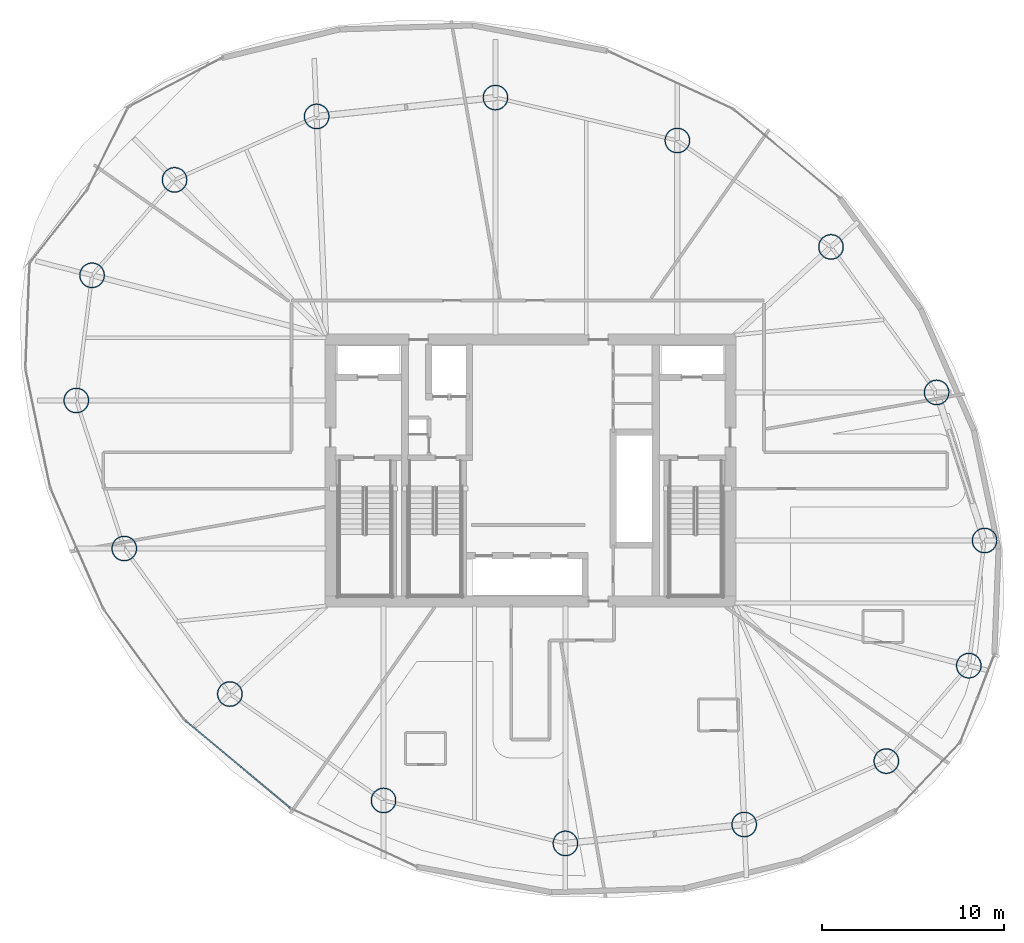
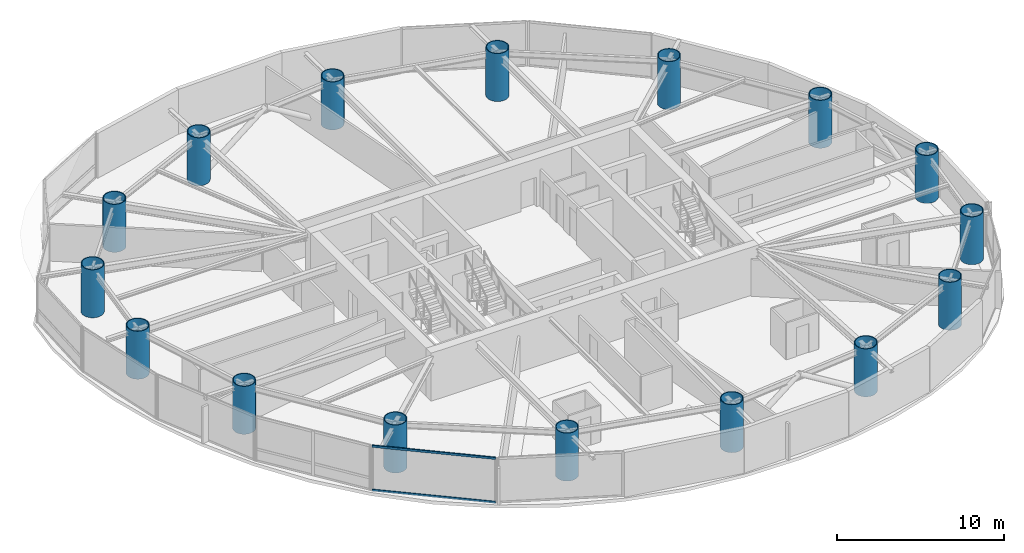
# One storey, part 1 of 23: 16 columns, 2 members, 1 element without a shape of its own.
"""IFC4 building model written with IfcOpenShell, lengths in metres."""

from ifc_helpers import new_model, si_unit, direction, frame, origin, origin_2d, place, context, subcontext, project, spatial, hollow_rectangle, hollow_circle, extrude, material, layer, layer_set, material_profile, profile_set, type_object, element, aggregate, save


model = new_model("IFC4")

# Units and contexts
model_context = context("Model", 3, precision=1e-05, world=origin(), true_north=direction((0.0, 1.0)))
body_context = subcontext(model_context, "Body", "Model", "MODEL_VIEW")
ifc_project = project(units=[si_unit("LENGTHUNIT", "METRE"), si_unit("AREAUNIT", "SQUARE_METRE"), si_unit("VOLUMEUNIT", "CUBIC_METRE"), si_unit("PLANEANGLEUNIT", "RADIAN"), si_unit("MASSUNIT", "GRAM", prefix="KILO")], contexts=[model_context])

# Site, building, storey
site_placement = place(None, origin())
site = spatial("IfcSite", under=ifc_project, at=site_placement, CompositionType="ELEMENT")
building_placement = place(site_placement, origin())
building = spatial("IfcBuilding", under=site, at=building_placement, Name="Bramvorn Convention Spire", CompositionType="ELEMENT")
storey_placement = place(building_placement, frame((0.0, 0.0, 158.800048828125)))
storey = spatial("IfcBuildingStorey", under=building, at=storey_placement, Name="L40", CompositionType="ELEMENT", Elevation=158.800048828125)

# Columns
ifc_material_1 = material(Name="Steel CSA G40.21 Grade 350 (350W)", Category="steel")
ifc_material_profile_1 = material_profile(ifc_material_1, hollow_circle(Radius=0.699951171875, WallThickness=0.054931640625, at=origin_2d()))
ifc_profile_set_1 = profile_set([ifc_material_profile_1], Name="Steel CSA G40.21 Grade 350 (350W) - CFT1400X55")
column_type = type_object("IfcColumnType", Name="COL-CFT1400X55", PredefinedType="COLUMN", material=ifc_profile_set_1)
for number, where, z_axis, x_axis, name in (
    (1, (62.11767578125, 15.26220703125, 0.0), (0.0, 0.0, 1.0), (1.0, 0.0, 0.0), "L40 composite CFT mega-column MC01"),
    (2, (62.983642578125, 22.148193359375, 0.0), (0.0, 0.0, 1.0), (1.0, 0.0, 0.0), "L40 composite CFT mega-column MC02"),
    (3, (60.345703125, 30.293212890625, 0.0), (0.0, 0.0, 1.0), (1.0, 0.0, 0.0), "L40 composite CFT mega-column MC03"),
    (4, (54.534912109375, 38.299072265625, 0.0), (0.0, 0.0, 1.0), (1.0, 0.0, 0.0), "L40 composite CFT mega-column MC04"),
    (5, (46.082763671875, 44.154052734375, 0.0), (0.0, 0.0, 1.0), (1.0, 0.0, 0.0), "L40 composite CFT mega-column MC05"),
    (6, (36.075927734375, 46.517333984375, 0.0), (0.0, 0.0, 1.0), (1.0, 0.0, 0.0), "L40 composite CFT mega-column MC06"),
    (7, (26.23828125, 45.478759765625, 0.0), (0.0, 0.0, 1.0), (1.0, 0.0, 0.0), "L40 composite CFT mega-column MC07"),
    (8, (18.420166015625, 41.9892578125, 0.0), (0.0, 0.0, 1.0), (1.0, 0.0, 0.0), "L40 composite CFT mega-column MC08"),
    (9, (13.88232421875, 36.73779296875, 0.0), (0.0, 0.0, 1.0), (1.0, 0.0, 0.0), "L40 composite CFT mega-column MC09"),
    (10, (13.016357421875, 29.851806640625, 0.0), (0.0, 0.0, 1.0), (1.0, 0.0, 0.0), "L40 composite CFT mega-column MC10"),
    (11, (15.654296875, 21.706787109375, 0.0), (0.0, 0.0, 1.0), (1.0, 0.0, 0.0), "L40 composite CFT mega-column MC11"),
    (12, (21.465087890625, 13.700927734375, 0.0), (0.0, 0.0, 1.0), (1.0, 0.0, 0.0), "L40 composite CFT mega-column MC12"),
    (13, (29.917236328125, 7.845947265625, 0.0), (0.0, 0.0, 1.0), (1.0, 0.0, 0.0), "L40 composite CFT mega-column MC13"),
    (14, (39.924072265625, 5.482666015625, 0.0), (0.0, 0.0, 1.0), (1.0, 0.0, 0.0), "L40 composite CFT mega-column MC14"),
    (15, (49.76171875, 6.521240234375, 0.0), (0.0, 0.0, 1.0), (1.0, 0.0, 0.0), "L40 composite CFT mega-column MC15"),
    (16, (57.579833984375, 10.0107421875, 0.0), (0.0, 0.0, 1.0), (1.0, 0.0, 0.0), "L40 composite CFT mega-column MC16"),
):
    element("IfcColumn", number, at=place(storey_placement, frame(where, z_axis=z_axis, x_axis=x_axis)), inside=storey, type_object=column_type, Name=name, PredefinedType="COLUMN", context=body_context, shape_type="SweptSolid", body=[
        extrude(hollow_circle(Radius=0.699951171875, WallThickness=0.054931640625, at=origin_2d()), origin(), (0.0, 0.0, 1.0), 3.5),
    ])

# Curtain wall, members
ifc_material_2 = material(Name="Anodised Bronze Unitised Curtain Wall", Category="aluminium")
ifc_layer = layer(ifc_material_2, 0.179931640625)
ifc_layer_set = layer_set([ifc_layer], Name="Anodised Bronze Unitised Curtain Wall - CW-HTL-FRIT")
curtain_wall_type = type_object("IfcCurtainWallType", Name="CW-HTL-FRIT", PredefinedType="USERDEFINED", material=ifc_layer_set)
curtain_wall_placement = place(storey_placement, origin())
curtain_wall = element("IfcCurtainWall", 17, at=curtain_wall_placement, inside=storey, type_object=curtain_wall_type, Name="L40 fritted glass curtain wall 18", ObjectType="UNITISED CURTAIN WALL", PredefinedType="USERDEFINED")
ifc_material_3 = material(Name="Anodised Bronze Aluminium 6063-T6", Category="aluminium")
ifc_material_profile_2 = material_profile(ifc_material_3, hollow_rectangle(XDim=0.080078125, YDim=0.159912109375, WallThickness=0.00390625, InnerFilletRadius=0.0009765625, OuterFilletRadius=0.00390625, at=origin_2d()))
ifc_profile_set_2 = profile_set([ifc_material_profile_2], Name="Anodised Bronze Aluminium 6063-T6 - CWT80X160")
member_type = type_object("IfcMemberType", Name="CW-TRN-150", PredefinedType="USERDEFINED", material=ifc_profile_set_2)
member_1_placement = place(storey_placement, frame((24.7744140625, 7.43603515625, 0.030029296875), z_axis=(-0.768309350895, 0.640078699324, 0.0), x_axis=(-0.640078699324, -0.768309350895, 0.0)))
member_1 = element("IfcMember", 18, at=member_1_placement, type_object=member_type, Name="CW2 transom 1.1", ObjectType="TRANSOM", PredefinedType="USERDEFINED", context=body_context, shape_type="SweptSolid", body=[
    extrude(hollow_rectangle(XDim=0.080078125, YDim=0.159912109375, WallThickness=0.00390625, InnerFilletRadius=0.0009765625, OuterFilletRadius=0.00390625, at=origin_2d()), origin(), (0.0, 0.0, 1.0), 7.49755859375),
])
member_2_placement = place(storey_placement, frame((24.7744140625, 7.43603515625, 3.22998046875), z_axis=(-0.768309350895, 0.640078699324, 0.0), x_axis=(-0.640078699324, -0.768309350895, 0.0)))
member_2 = element("IfcMember", 19, at=member_2_placement, type_object=member_type, Name="CW2 transom 1.2", ObjectType="TRANSOM", PredefinedType="USERDEFINED", context=body_context, shape_type="SweptSolid", body=[
    extrude(hollow_rectangle(XDim=0.080078125, YDim=0.159912109375, WallThickness=0.00390625, InnerFilletRadius=0.0009765625, OuterFilletRadius=0.00390625, at=origin_2d()), origin(), (0.0, 0.0, 1.0), 7.49755859375),
])
aggregate(curtain_wall, [member_1, member_2])

save(model, "model.ifc")
